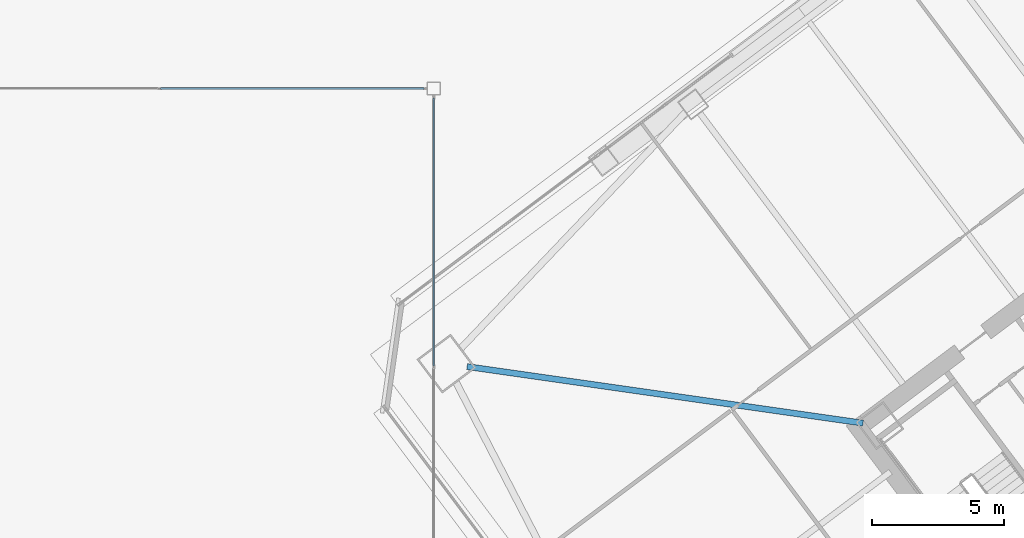
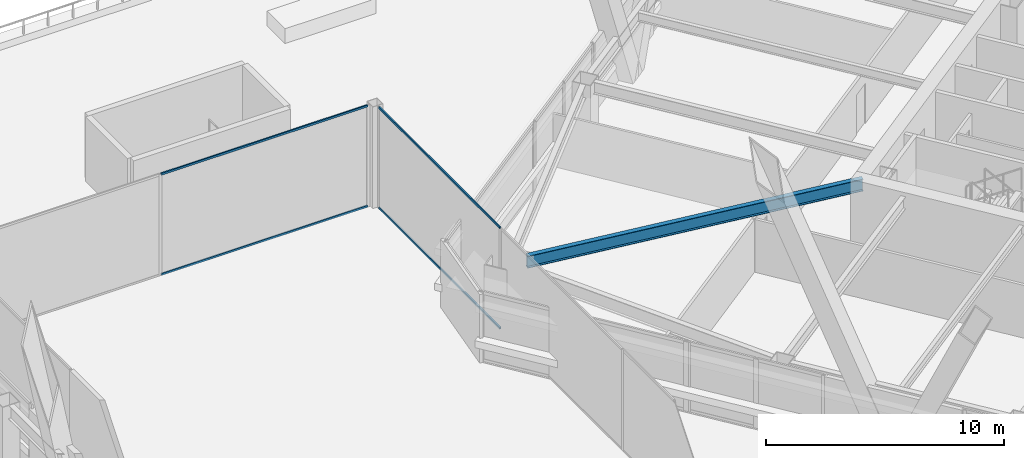
# One storey, part 46 of 83: 4 members, 1 beam, 2 elements without a shape of their own.
"""IFC4 building model written with IfcOpenShell, lengths in metres."""

from ifc_helpers import new_model, si_unit, direction, frame, origin, origin_2d, place, context, subcontext, project, spatial, hollow_rectangle, i_section, extrude, material, material_profile, profile_set, type_object, element, aggregate, save


model = new_model("IFC4")

# Units and contexts
model_context = context("Model", 3, precision=1e-05, world=origin(), true_north=direction((0.0, 1.0)))
body_context = subcontext(model_context, "Body", "Model", "MODEL_VIEW")
ifc_project = project(units=[si_unit("LENGTHUNIT", "METRE"), si_unit("AREAUNIT", "SQUARE_METRE"), si_unit("VOLUMEUNIT", "CUBIC_METRE"), si_unit("PLANEANGLEUNIT", "RADIAN"), si_unit("MASSUNIT", "GRAM", prefix="KILO")], contexts=[model_context])

# Site, building, storey
site_placement = place(None, origin())
site = spatial("IfcSite", under=ifc_project, at=site_placement, CompositionType="ELEMENT")
building_placement = place(site_placement, origin())
building = spatial("IfcBuilding", under=site, at=building_placement, Name="Tashvorn Skyway Center", CompositionType="ELEMENT")
storey_placement = place(building_placement, frame((0.0, 0.0, 24.60009765625)))
storey = spatial("IfcBuildingStorey", under=building, at=storey_placement, Name="L05", CompositionType="ELEMENT", Elevation=24.60009765625)

# Beam
ifc_material_1 = material(Name="Steel ASTM A992 Grade 50", Category="steel")
ifc_material_profile_1 = material_profile(ifc_material_1, i_section(OverallWidth=0.22998046875, OverallDepth=0.616943359375, WebThickness=0.01318359375, FlangeThickness=0.022216796875, at=origin_2d()), Name="W24X94")
ifc_profile_set_1 = profile_set([ifc_material_profile_1], Name="Steel ASTM A992 Grade 50")
beam_type = type_object("IfcBeamType", Name="BM-BEAM-W24X94", PredefinedType="BEAM", material=ifc_profile_set_1)
beam_placement = place(storey_placement, frame((88.467041015625, 35.6474609375, 3.04150390625), z_axis=(0.989950458816, -0.141414599991, 0.0), x_axis=(0.141414599991, 0.989950458816, 0.0)))
element("IfcBeam", 1, at=beam_placement, inside=storey, type_object=beam_type, Name="Tower 2 L05 Primary Floor Girder MC-NW", PredefinedType="BEAM", context=body_context, shape_type="SweptSolid", body=[
    extrude(i_section(OverallWidth=0.22998046875, OverallDepth=0.616943359375, WebThickness=0.01318359375, FlangeThickness=0.022216796875, at=origin_2d()), origin(), (0.0, 0.0, 1.0), 15.177001953125),
])

# Curtain wall, members
ifc_material_2 = material(Name="Thermally broken bronze-anodized aluminium 6063-T6", Category="aluminium")
curtain_wall_type = type_object("IfcCurtainWallType", Name="CW-CW-SKY", PredefinedType="NOTDEFINED", material=ifc_material_2)
curtain_wall_1_placement = place(storey_placement, origin())
curtain_wall_1 = element("IfcCurtainWall", 2, at=curtain_wall_1_placement, inside=storey, type_object=curtain_wall_type, Name="Station Concourse Monitor East Clerestory Curtain Wall", PredefinedType="NOTDEFINED")
ifc_material_profile_2 = material_profile(ifc_material_2, hollow_rectangle(XDim=0.06494140625, YDim=0.10498046875, WallThickness=0.00390625, at=origin_2d()), Name="ALU-TRAN-65x105")
ifc_profile_set_2 = profile_set([ifc_material_profile_2], Name="Thermally broken bronze-anodized aluminium 6063-T6")
member_type = type_object("IfcMemberType", Name="CWT-CW-SKY", PredefinedType="USERDEFINED", material=ifc_profile_set_2)
member_1_placement = place(storey_placement, frame((87.199951171875, 45.8349609375, 0.032470703125), z_axis=(0.0, -1.0, 0.0), x_axis=(1.0, 0.0, 0.0)))
member_1 = element("IfcMember", 3, at=member_1_placement, type_object=member_type, Name="CW-SKY transom 1.1", ObjectType="TRANSOM", PredefinedType="USERDEFINED", context=body_context, shape_type="SweptSolid", body=[
    extrude(hollow_rectangle(XDim=0.06494140625, YDim=0.10498046875, WallThickness=0.00390625, at=origin_2d()), origin(), (0.0, 0.0, 1.0), 10.169189453125),
])
member_2_placement = place(storey_placement, frame((87.199951171875, 45.8349609375, 5.16748046875), z_axis=(0.0, -1.0, 0.0), x_axis=(1.0, 0.0, 0.0)))
member_2 = element("IfcMember", 4, at=member_2_placement, type_object=member_type, Name="CW-SKY transom 1.2", ObjectType="TRANSOM", PredefinedType="USERDEFINED", context=body_context, shape_type="SweptSolid", body=[
    extrude(hollow_rectangle(XDim=0.06494140625, YDim=0.10498046875, WallThickness=0.00390625, at=origin_2d()), origin(), (0.0, 0.0, 1.0), 10.169189453125),
])
aggregate(curtain_wall_1, [member_1, member_2])

curtain_wall_2_placement = place(storey_placement, origin())
curtain_wall_2 = element("IfcCurtainWall", 5, at=curtain_wall_2_placement, inside=storey, type_object=curtain_wall_type, Name="Station Concourse Monitor North Clerestory Curtain Wall", PredefinedType="NOTDEFINED")
member_3_placement = place(storey_placement, frame((76.83251953125, 46.199951171875, 0.032470703125), z_axis=(1.0, 0.0, 0.0), x_axis=(0.0, 1.0, 0.0)))
member_3 = element("IfcMember", 6, at=member_3_placement, type_object=member_type, Name="CW-SKY transom 2.1", ObjectType="TRANSOM", PredefinedType="USERDEFINED", context=body_context, shape_type="SweptSolid", body=[
    extrude(hollow_rectangle(XDim=0.06494140625, YDim=0.10498046875, WallThickness=0.00390625, at=origin_2d()), origin(), (0.0, 0.0, 1.0), 10.00244140625),
])
member_4_placement = place(storey_placement, frame((76.83251953125, 46.199951171875, 5.16748046875), z_axis=(1.0, 0.0, 0.0), x_axis=(0.0, 1.0, 0.0)))
member_4 = element("IfcMember", 7, at=member_4_placement, type_object=member_type, Name="CW-SKY transom 2.2", ObjectType="TRANSOM", PredefinedType="USERDEFINED", context=body_context, shape_type="SweptSolid", body=[
    extrude(hollow_rectangle(XDim=0.06494140625, YDim=0.10498046875, WallThickness=0.00390625, at=origin_2d()), origin(), (0.0, 0.0, 1.0), 10.00244140625),
])
aggregate(curtain_wall_2, [member_3, member_4])

save(model, "model.ifc")
